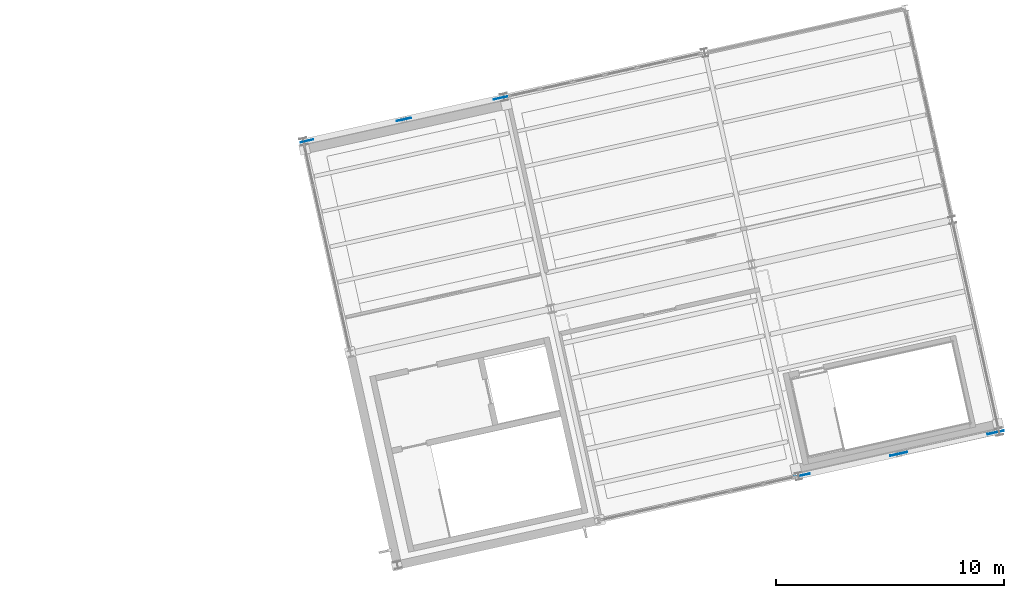
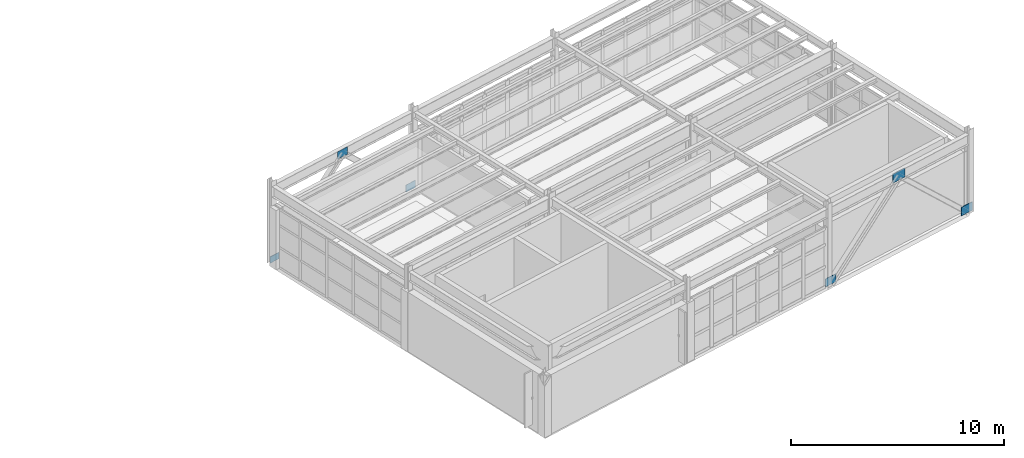
# One storey, part 45 of 59: 6 plates.
"""IFC4 building model written with IfcOpenShell, lengths in metres."""

from ifc_helpers import new_model, si_unit, direction, frame, origin, origin_2d, place, context, subcontext, project, spatial, rectangle, extrude, material, layer, layer_set, type_object, element, save


model = new_model("IFC4")

# Units and contexts
model_context = context("Model", 3, precision=1e-05, world=origin(), true_north=direction((0.0, 1.0)))
body_context = subcontext(model_context, "Body", "Model", "MODEL_VIEW")
ifc_project = project(units=[si_unit("LENGTHUNIT", "METRE"), si_unit("AREAUNIT", "SQUARE_METRE"), si_unit("VOLUMEUNIT", "CUBIC_METRE"), si_unit("PLANEANGLEUNIT", "RADIAN"), si_unit("MASSUNIT", "GRAM", prefix="KILO")], contexts=[model_context])

# Site, building, storey
site_placement = place(None, origin())
site = spatial("IfcSite", under=ifc_project, at=site_placement, CompositionType="ELEMENT")
building_placement = place(site_placement, origin())
building = spatial("IfcBuilding", under=site, at=building_placement, Name="Vireo Bluff Cable Station", CompositionType="ELEMENT")
storey_placement = place(building_placement, frame((0.0, 0.0, 14.39990234375)))
storey = spatial("IfcBuildingStorey", under=building, at=storey_placement, Name="L03", CompositionType="ELEMENT", Elevation=14.39990234375)

# Plates
ifc_material = material(Name="Steel ASTM A572 Gr. 50", Category="steel")
ifc_layer_1 = layer(ifc_material, 0.02294921875, Name="Steel ASTM A572 Gr. 50")
ifc_layer_set_1 = layer_set([ifc_layer_1], Name="Steel ASTM A572 Gr. 50")
plate_type_1 = type_object("IfcPlateType", Name="GUSSET-560X370X23", PredefinedType="USERDEFINED", material=ifc_layer_set_1)
plate_1_placement = place(storey_placement, frame((128.7744140625, 103.80712890625, 0.03515625), z_axis=(0.0, 0.0, 1.0), x_axis=(0.97629600712, 0.216439613938, 0.0)))
element("IfcPlate", 1, at=plate_1_placement, inside=storey, type_object=plate_type_1, Name="V2 L03 brace base gusset plate 113", ObjectType="GUSSET PLATE", PredefinedType="USERDEFINED", context=body_context, shape_type="SweptSolid", body=[
    extrude(rectangle(XDim=0.56005859375, YDim=0.02294921875, at=origin_2d()), origin(), (0.0, 0.0, 1.0), 0.3701171875),
])
ifc_layer_2 = layer(ifc_material, 0.02490234375, Name="Steel ASTM A572 Gr. 50")
ifc_layer_set_2 = layer_set([ifc_layer_2], Name="Steel ASTM A572 Gr. 50")
plate_type_2 = type_object("IfcPlateType", Name="GUSSET-600X410X25", PredefinedType="USERDEFINED", material=ifc_layer_set_2)
plate_2_placement = place(storey_placement, frame((137.24853515625, 105.685791015625, 0.01513671875), z_axis=(0.0, 0.0, 1.0), x_axis=(0.97629600712, 0.216439613938, 0.0)))
element("IfcPlate", 2, at=plate_2_placement, inside=storey, type_object=plate_type_2, Name="V2 L03 brace base gusset plate 114", ObjectType="GUSSET PLATE", PredefinedType="USERDEFINED", context=body_context, shape_type="SweptSolid", body=[
    extrude(rectangle(XDim=0.60009765625, YDim=0.02490234375, at=origin_2d()), origin(), (0.0, 0.0, 1.0), 0.409912109375),
])
ifc_layer_3 = layer(ifc_material, 0.027099609375, Name="Steel ASTM A572 Gr. 50")
ifc_layer_set_3 = layer_set([ifc_layer_3], Name="Steel ASTM A572 Gr. 50")
plate_type_3 = type_object("IfcPlateType", Name="GUSSET-640X430X27", PredefinedType="USERDEFINED", material=ifc_layer_set_3)
plate_3_placement = place(storey_placement, frame((133.011474609375, 104.746337890625, 3.96533203125), z_axis=(0.0, 0.0, 1.0), x_axis=(0.97629600712, 0.216439613938, 0.0)))
element("IfcPlate", 3, at=plate_3_placement, inside=storey, type_object=plate_type_3, Name="V2 L03 chevron gusset plate 115", ObjectType="GUSSET PLATE", PredefinedType="USERDEFINED", context=body_context, shape_type="SweptSolid", body=[
    extrude(rectangle(XDim=0.639892578125, YDim=0.027099609375, at=origin_2d()), origin(), (0.0, 0.0, 1.0), 0.429931640625),
])
ifc_layer_4 = layer(ifc_material, 0.029052734375, Name="Steel ASTM A572 Gr. 50")
ifc_layer_set_4 = layer_set([ifc_layer_4], Name="Steel ASTM A572 Gr. 50")
plate_type_4 = type_object("IfcPlateType", Name="GUSSET-680X460X29", PredefinedType="USERDEFINED", material=ifc_layer_set_4)
plate_4_placement = place(storey_placement, frame((150.4599609375, 89.1533203125, -0.009765625), z_axis=(0.0, 0.0, 1.0), x_axis=(0.97629600712, 0.216439613938, 0.0)))
element("IfcPlate", 4, at=plate_4_placement, inside=storey, type_object=plate_type_4, Name="V2 L03 brace base gusset plate 116", ObjectType="GUSSET PLATE", PredefinedType="USERDEFINED", context=body_context, shape_type="SweptSolid", body=[
    extrude(rectangle(XDim=0.679931640625, YDim=0.029052734375, at=origin_2d()), origin(), (0.0, 0.0, 1.0), 0.4599609375),
])
ifc_layer_5 = layer(ifc_material, 0.031005859375, Name="Steel ASTM A572 Gr. 50")
ifc_layer_set_5 = layer_set([ifc_layer_5], Name="Steel ASTM A572 Gr. 50")
plate_type_5 = type_object("IfcPlateType", Name="GUSSET-720X490X31", PredefinedType="USERDEFINED", material=ifc_layer_set_5)
plate_5_placement = place(storey_placement, frame((158.934326171875, 91.031982421875, -0.02490234375), z_axis=(0.0, 0.0, 1.0), x_axis=(0.97629600712, 0.216439613938, 0.0)))
element("IfcPlate", 5, at=plate_5_placement, inside=storey, type_object=plate_type_5, Name="V2 L03 brace base gusset plate 117", ObjectType="GUSSET PLATE", PredefinedType="USERDEFINED", context=body_context, shape_type="SweptSolid", body=[
    extrude(rectangle(XDim=0.719970703125, YDim=0.031005859375, at=origin_2d()), origin(), (0.0, 0.0, 1.0), 0.489990234375),
])
ifc_layer_6 = layer(ifc_material, 0.032958984375, Name="Steel ASTM A572 Gr. 50")
ifc_layer_set_6 = layer_set([ifc_layer_6], Name="Steel ASTM A572 Gr. 50")
plate_type_6 = type_object("IfcPlateType", Name="GUSSET-760X530X33", PredefinedType="USERDEFINED", material=ifc_layer_set_6)
plate_6_placement = place(storey_placement, frame((154.697265625, 90.0927734375, 3.9150390625), z_axis=(0.0, 0.0, 1.0), x_axis=(0.97629600712, 0.216439613938, 0.0)))
element("IfcPlate", 6, at=plate_6_placement, inside=storey, type_object=plate_type_6, Name="V2 L03 chevron gusset plate 118", ObjectType="GUSSET PLATE", PredefinedType="USERDEFINED", context=body_context, shape_type="SweptSolid", body=[
    extrude(rectangle(XDim=0.760009765625, YDim=0.032958984375, at=origin_2d()), origin(), (0.0, 0.0, 1.0), 0.530029296875),
])

save(model, "model.ifc")
